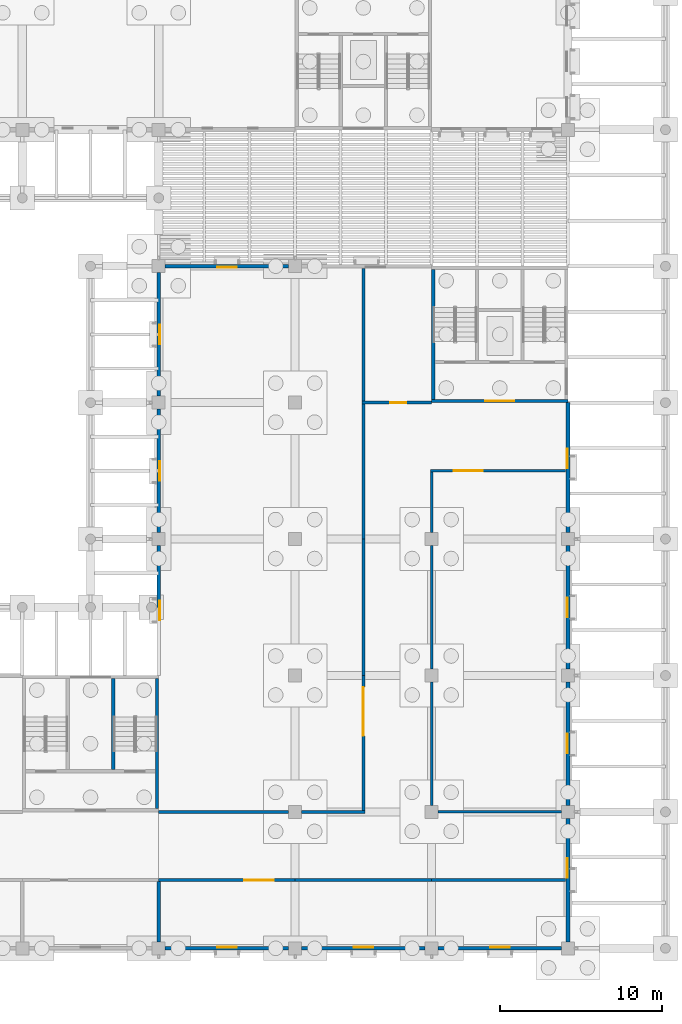
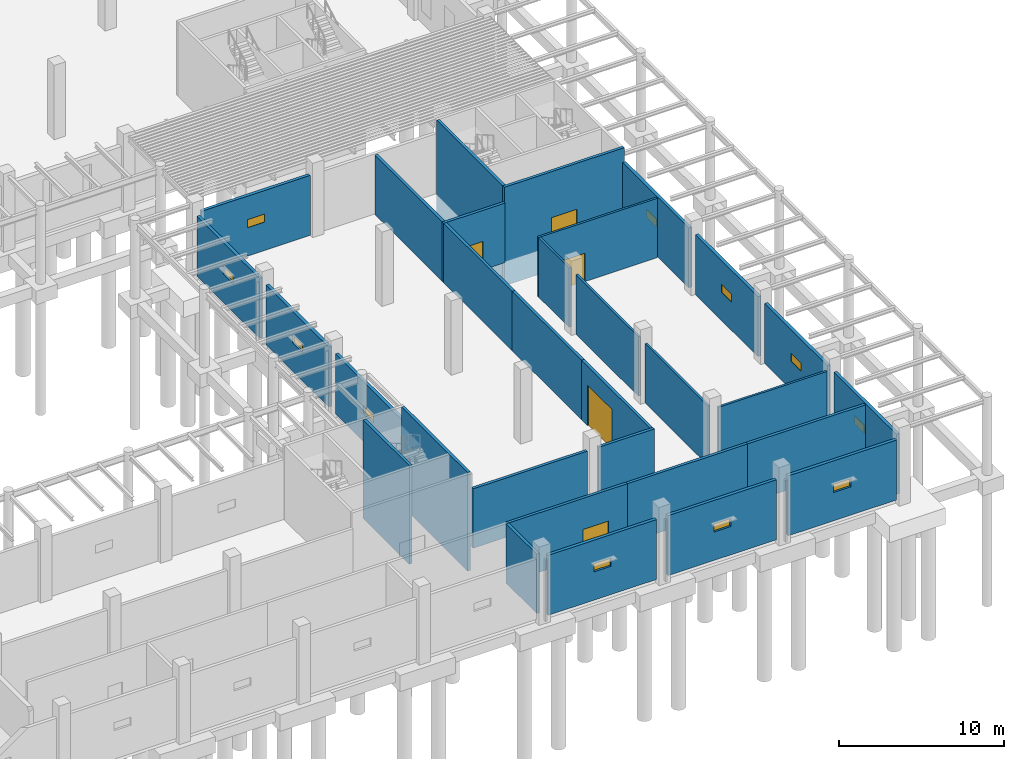
# One storey, part 40 of 82: 31 walls, 11 windows, 5 doors, 16 openings.
"""IFC4 building model written with IfcOpenShell, lengths in metres."""

import ifcopenshell
import ifcopenshell.guid

model = None  # the IFC model being written
_history = None  # IfcOwnerHistory: only IFC2X3 demands one
_inside = {}  # id of a spatial element -> (the spatial element, [elements in it])
_under = {}  # id of a project, library or spatial element -> (it, [spatial elements below it])
_declared = {}  # id of a project -> (the project, [libraries it declares])
_typed = {}  # id of a type object -> (the type object, [elements of that type])
_made_of = {}  # id of a material, layer set ... -> (it, [elements and type objects made of it])


def new_model(schema):
    """Start an empty IFC model of exactly this schema.

    Asked for "IFC4X3", IfcOpenShell would pick the latest addendum, in which some entities
    have other attributes; the version numbers below select the first issue.
    IFC2X3 requires an IfcOwnerHistory on every rooted entity: one is made here for all.
    """
    global model, _history
    if schema == "IFC4X3":
        model = ifcopenshell.file(schema_version=(4, 3, 0, 0))
    else:
        model = ifcopenshell.file(schema=schema)
    _inside.clear()
    _under.clear()
    _declared.clear()
    _typed.clear()
    _made_of.clear()
    _history = None
    if model.schema == "IFC2X3":
        org = make("IfcOrganization", Name="unknown")
        user = make(
            "IfcPersonAndOrganization",
            ThePerson=make("IfcPerson", FamilyName="unknown"),
            TheOrganization=org,
        )
        app = make(
            "IfcApplication",
            ApplicationDeveloper=org,
            Version="unknown",
            ApplicationFullName="unknown",
            ApplicationIdentifier="unknown",
        )
        _history = make(
            "IfcOwnerHistory",
            OwningUser=user,
            OwningApplication=app,
            ChangeAction="ADDED",
            CreationDate=0,
        )
    return model


def make(cls, **values):
    """One entity of the class cls with the attributes given. An attribute that is None is left unset."""
    return model.create_entity(
        cls, **{name: value for name, value in values.items() if value is not None}
    )


def rooted(cls, **values):
    """An entity with a GlobalId (a new one), such as an element, a storey or a relation."""
    return make(cls, GlobalId=ifcopenshell.guid.new(), OwnerHistory=_history, **values)


def si_unit(unit_type, name, prefix=None):
    """IfcSIUnit, for example si_unit("LENGTHUNIT", "METRE", prefix="MILLI")."""
    return make("IfcSIUnit", UnitType=unit_type, Prefix=prefix, Name=name)


def assignment(units):
    """IfcUnitAssignment: the units of a project."""
    return None if units is None else make("IfcUnitAssignment", Units=units)


def point(xyz):
    """IfcCartesianPoint."""
    return None if xyz is None else make("IfcCartesianPoint", Coordinates=xyz)


def direction(xyz):
    """IfcDirection."""
    return None if xyz is None else make("IfcDirection", DirectionRatios=xyz)


def frame(location, z_axis=None, x_axis=None):
    """IfcAxis2Placement3D, a coordinate frame: its origin and axes. An axis left out is left unset."""
    return make(
        "IfcAxis2Placement3D",
        Location=point(location),
        Axis=direction(z_axis),
        RefDirection=direction(x_axis),
    )


def frame_2d(location, x_axis=None):
    """IfcAxis2Placement2D, a coordinate frame in the plane: its origin and x axis."""
    return make(
        "IfcAxis2Placement2D", Location=point(location), RefDirection=direction(x_axis)
    )


def origin():
    """The frame at (0, 0, 0) with its axes left unset."""
    return frame((0.0, 0.0, 0.0))


def place(relative_to, where):
    """IfcLocalPlacement: puts the frame where relative to a parent placement (None: the world)."""
    return make(
        "IfcLocalPlacement", PlacementRelTo=relative_to, RelativePlacement=where
    )


def context(
    kind, dimensions, precision=None, world=None, true_north=None, identifier=None
):
    """IfcGeometricRepresentationContext, for example the 3D "Model" context."""
    return make(
        "IfcGeometricRepresentationContext",
        ContextIdentifier=identifier,
        ContextType=kind,
        CoordinateSpaceDimension=dimensions,
        Precision=precision,
        WorldCoordinateSystem=world,
        TrueNorth=true_north,
    )


def subcontext(parent, identifier, kind, view, scale=None):
    """IfcGeometricRepresentationSubContext, for example "Body" below "Model"."""
    return make(
        "IfcGeometricRepresentationSubContext",
        ContextIdentifier=identifier,
        ContextType=kind,
        ParentContext=parent,
        TargetScale=scale,
        TargetView=view,
    )


def project(units=None, contexts=None):
    """IfcProject with its units and contexts."""
    return rooted(
        "IfcProject",
        Name="project",
        RepresentationContexts=contexts,
        UnitsInContext=assignment(units),
    )


def spatial(cls, under=None, at=None, **own):
    """A site, building, storey or space (cls), placed at a placement, below another one or the project."""
    s = rooted(cls, ObjectPlacement=at, **own)
    if under is not None:
        _under.setdefault(under.id(), (under, []))[1].append(s)
    return s


def profile(cls, at=None, kind="AREA", **sizes):
    """A parametric profile (cls). Its sizes go by their IFC names, for example OverallWidth=200.0."""
    return make(cls, ProfileType=kind, Position=at, **sizes)


def rectangle(**sizes):
    """IfcRectangleProfileDef."""
    return profile("IfcRectangleProfileDef", **sizes)


def extrude(swept, where, along, depth):
    """IfcExtrudedAreaSolid: the profile swept, set in the frame where, extruded along a direction by depth."""
    return make(
        "IfcExtrudedAreaSolid",
        SweptArea=swept,
        Position=where,
        ExtrudedDirection=direction(along),
        Depth=depth,
    )


def shape(context_of_items, identifier, shape_type, items):
    """IfcShapeRepresentation: the items that make up one representation, for example the "Body"."""
    return make(
        "IfcShapeRepresentation",
        ContextOfItems=context_of_items,
        RepresentationIdentifier=identifier,
        RepresentationType=shape_type,
        Items=items,
    )


def material(Name=None, Category=None):
    """IfcMaterial."""
    return make("IfcMaterial", Name=Name, Category=Category)


def layer(
    of_material, thickness, ventilated=None, Name=None, Category=None, Priority=None
):
    """IfcMaterialLayer: one layer of a wall or slab, of a material (None: an air gap)."""
    return make(
        "IfcMaterialLayer",
        Material=of_material,
        LayerThickness=thickness,
        IsVentilated=ventilated,
        Name=Name,
        Category=Category,
        Priority=Priority,
    )


def layer_set(layers, Name=None):
    """IfcMaterialLayerSet."""
    return make("IfcMaterialLayerSet", MaterialLayers=layers, LayerSetName=Name)


def made_of(thing, what):
    """Note that an element or type object is made of a material, layer set ...; save() writes the relation."""
    if what is not None:
        _made_of.setdefault(what.id(), (what, []))[1].append(thing)
    return thing


def type_object(cls, material=None, **own):
    """A type object (cls), such as IfcWallType, which elements share."""
    return made_of(rooted(cls, **own), material)


def element(
    cls,
    number,
    at=None,
    inside=None,
    cuts=None,
    type_object=None,
    material=None,
    context=None,
    identifier="Body",
    shape_type=None,
    held_by="IfcProductDefinitionShape",
    body=None,
    shapes=None,
    **own,
):
    """One element of the class cls, such as IfcWall. Its Tag is "e" and its number.

    at: its placement. inside: the storey or other place that contains it. cuts: it is an
    opening in that element (IfcRelVoidsElement). A single representation is given by context,
    identifier, shape_type and body (its items); several are given by shapes. held_by: the class
    of the entity that holds the representations. save() writes the other relations.
    """
    e = rooted(cls, Tag="e%d" % number, ObjectPlacement=at, **own)
    if body is not None:
        shapes = [shape(context, identifier, shape_type, body)]
    if shapes is not None:
        e.Representation = make(held_by, Representations=shapes)
    if inside is not None:
        _inside.setdefault(inside.id(), (inside, []))[1].append(e)
    if cuts is not None:
        rooted(
            "IfcRelVoidsElement", RelatingBuildingElement=cuts, RelatedOpeningElement=e
        )
    if type_object is not None:
        _typed.setdefault(type_object.id(), (type_object, []))[1].append(e)
    return made_of(e, material)


def fill(opening, filler):
    """IfcRelFillsElement: the door or window that sits in an opening."""
    return rooted(
        "IfcRelFillsElement",
        RelatingOpeningElement=opening,
        RelatedBuildingElement=filler,
    )


def aggregate(whole, parts):
    """IfcRelAggregates: a whole, such as a stair, and the parts it consists of."""
    return rooted("IfcRelAggregates", RelatingObject=whole, RelatedObjects=parts)


def save(model, path):
    """Write the relations noted so far, then the file.

    IfcRelAggregates (storeys below a building ...), IfcRelContainedInSpatialStructure (elements
    in a storey), IfcRelDefinesByType, IfcRelAssociatesMaterial and IfcRelDeclares: one each for
    every whole, place, type object, material and project.
    """
    for whole, parts in _under.values():
        aggregate(whole, parts)
    for where, things in _inside.values():
        rooted(
            "IfcRelContainedInSpatialStructure",
            RelatedElements=things,
            RelatingStructure=where,
        )
    for kind, things in _typed.values():
        rooted("IfcRelDefinesByType", RelatedObjects=things, RelatingType=kind)
    for what, things in _made_of.values():
        rooted("IfcRelAssociatesMaterial", RelatedObjects=things, RelatingMaterial=what)
    for by, libraries in _declared.values():
        rooted("IfcRelDeclares", RelatingContext=by, RelatedDefinitions=libraries)
    model.write(path)


model = new_model("IFC4")

# Units and contexts
model_context = context("Model", 3, precision=1e-05, world=origin(), true_north=direction((0.0, 1.0)))
body_context = subcontext(model_context, "Body", "Model", "MODEL_VIEW")
ifc_project = project(units=[si_unit("LENGTHUNIT", "METRE"), si_unit("AREAUNIT", "SQUARE_METRE"), si_unit("VOLUMEUNIT", "CUBIC_METRE"), si_unit("PLANEANGLEUNIT", "RADIAN"), si_unit("MASSUNIT", "GRAM", prefix="KILO")], contexts=[model_context])

# Site, building, storey
site_placement = place(None, origin())
site = spatial("IfcSite", under=ifc_project, at=site_placement, CompositionType="ELEMENT")
building_placement = place(site_placement, origin())
building = spatial("IfcBuilding", under=site, at=building_placement, Name="Almond Square Museum", CompositionType="ELEMENT")
storey_placement = place(building_placement, origin())
storey = spatial("IfcBuildingStorey", under=building, at=storey_placement, Name="L00", CompositionType="ELEMENT", Elevation=0.0)

# Wall
ifc_material_1 = material(Name="Concrete blockwork 200", Category="masonry")
ifc_layer_1 = layer(ifc_material_1, 0.199951171875)
ifc_layer_set_1 = layer_set([ifc_layer_1], Name="Concrete blockwork 200")
wall_type_1 = type_object("IfcWallType", Name="Fire partition 200 blockwork", PredefinedType="PARTITIONING", material=ifc_layer_set_1)
wall_1_placement = place(storey_placement, frame((144.60009765625, 33.699951171875, 0.0), z_axis=(0.0, 0.0, 1.0), x_axis=(0.0, 1.0, 0.0)))
element("IfcWall", 1, at=wall_1_placement, inside=storey, type_object=wall_type_1, Name="L00 partition 63", PredefinedType="PARTITIONING", context=body_context, shape_type="SweptSolid", body=[
    extrude(rectangle(XDim=8.150146484375, YDim=0.199951171875, at=frame_2d((4.0751953125, 0.0))), origin(), (0.0, 0.0, 1.0), 4.39990234375),
])

# Wall, opening, door
wall_2_placement = place(storey_placement, frame((144.5, 33.60009765625, 0.0), z_axis=(0.0, 0.0, 1.0), x_axis=(1.0, 0.0, 0.0)))
wall_2 = element("IfcWall", 2, at=wall_2_placement, inside=storey, type_object=wall_type_1, Name="L00 partition 64", PredefinedType="PARTITIONING", context=body_context, shape_type="SweptSolid", body=[
    extrude(rectangle(XDim=4.300048828125, YDim=0.199951171875, at=frame_2d((2.14990234375, 0.0))), origin(), (0.0, 0.0, 1.0), 4.39990234375),
])
opening_1_placement = place(wall_2_placement, frame((1.75, 0.0, 0.0)))
opening_1 = element("IfcOpeningElement", 3, at=opening_1_placement, cuts=wall_2, Name="Opening D0118", PredefinedType="OPENING", context=body_context, shape_type="SweptSolid", body=[
    extrude(rectangle(XDim=1.0, YDim=2.10009765625, at=frame_2d((0.5, 1.050048828125))), frame((0.0, 0.10986328125, 0.0), z_axis=(0.0, -1.0, 0.0), x_axis=(1.0, 0.0, 0.0)), (0.0, 0.0, 1.0), 0.219970703125),
])
ifc_material_2 = material(Name="Steel", Category="steel")
door_type_1 = type_object("IfcDoorType", Name="Fire door 1000 x 2100 FD60 single", OperationType="NOTDEFINED", PredefinedType="DOOR", material=ifc_material_2)
door_1_placement = place(opening_1_placement, origin())
door_1 = element("IfcDoor", 4, at=door_1_placement, inside=storey, type_object=door_type_1, Name="L00 door Cleaners' Store 2 to Service Corridor 1", OperationType="SINGLE_SWING_RIGHT", OverallHeight=2.10009765625, OverallWidth=1.0, PredefinedType="DOOR", context=body_context, shape_type="SweptSolid", body=[
    extrude(rectangle(XDim=1.0, YDim=2.10009765625, at=frame_2d((0.5, 1.050048828125))), frame((0.0, 0.02490234375, 0.0), z_axis=(0.0, -1.0, 0.0), x_axis=(1.0, 0.0, 0.0)), (0.0, 0.0, 1.0), 0.050048828125),
])
fill(opening_1, door_1)

wall_3_placement = place(storey_placement, frame((144.60009765625, 8.5, 0.0), z_axis=(0.0, 0.0, 1.0), x_axis=(0.0, 1.0, 0.0)))
wall_3 = element("IfcWall", 5, at=wall_3_placement, inside=storey, type_object=wall_type_1, Name="L00 partition 66", PredefinedType="PARTITIONING", context=body_context, shape_type="SweptSolid", body=[
    extrude(rectangle(XDim=8.300048828125, YDim=0.199951171875, at=frame_2d((4.14990234375, 0.0))), origin(), (0.0, 0.0, 1.0), 4.39990234375),
])
opening_2_placement = place(wall_3_placement, frame((4.574951171875, 0.0, 0.0)))
opening_2 = element("IfcOpeningElement", 6, at=opening_2_placement, cuts=wall_3, Name="Opening D0121", PredefinedType="OPENING", context=body_context, shape_type="SweptSolid", body=[
    extrude(rectangle(XDim=3.0, YDim=3.0, at=frame_2d((1.5, 1.5))), frame((0.0, 0.10986328125, 0.0), z_axis=(0.0, -1.0, 0.0), x_axis=(1.0, 0.0, 0.0)), (0.0, 0.0, 1.0), 0.219970703125),
])
ifc_material_3 = material(Name="Steel", Category="steel")
door_type_2 = type_object("IfcDoorType", Name="Dock door 3000 x 3000 steel double", OperationType="NOTDEFINED", PredefinedType="DOOR", material=ifc_material_3)
door_2_placement = place(opening_2_placement, origin())
door_2 = element("IfcDoor", 7, at=door_2_placement, inside=storey, type_object=door_type_2, Name="L00 door Collection Store to Service Corridor 1", OperationType="DOUBLE_DOOR_SINGLE_SWING", OverallHeight=3.0, OverallWidth=3.0, PredefinedType="DOOR", context=body_context, shape_type="SweptSolid", body=[
    extrude(rectangle(XDim=3.0, YDim=3.0, at=frame_2d((1.5, 1.5))), frame((0.0, 0.02490234375, 0.0), z_axis=(0.0, -1.0, 0.0), x_axis=(1.0, 0.0, 0.0)), (0.0, 0.0, 1.0), 0.050048828125),
])
fill(opening_2, door_2)

# Walls
wall_4_placement = place(storey_placement, frame((144.60009765625, 16.800048828125, 0.0), z_axis=(0.0, 0.0, 1.0), x_axis=(0.0, 1.0, 0.0)))
element("IfcWall", 8, at=wall_4_placement, inside=storey, type_object=wall_type_1, Name="L00 partition 67", PredefinedType="PARTITIONING", context=body_context, shape_type="SweptSolid", body=[
    extrude(rectangle(XDim=8.39990234375, YDim=0.199951171875, at=frame_2d((4.199951171875, 0.0))), origin(), (0.0, 0.0, 1.0), 4.39990234375),
])
wall_5_placement = place(storey_placement, frame((144.60009765625, 25.199951171875, 0.0), z_axis=(0.0, 0.0, 1.0), x_axis=(0.0, 1.0, 0.0)))
element("IfcWall", 9, at=wall_5_placement, inside=storey, type_object=wall_type_1, Name="L00 partition 68", PredefinedType="PARTITIONING", context=body_context, shape_type="SweptSolid", body=[
    extrude(rectangle(XDim=8.300048828125, YDim=0.199951171875, at=frame_2d((4.14990234375, 0.0))), origin(), (0.0, 0.0, 1.0), 4.39990234375),
])
wall_6_placement = place(storey_placement, frame((132.0, 8.39990234375, 0.0), z_axis=(0.0, 0.0, 1.0), x_axis=(1.0, 0.0, 0.0)))
element("IfcWall", 10, at=wall_6_placement, inside=storey, type_object=wall_type_1, Name="L00 partition 69", PredefinedType="PARTITIONING", context=body_context, shape_type="SweptSolid", body=[
    extrude(rectangle(XDim=8.0, YDim=0.199951171875, at=frame_2d((4.0, 0.0))), origin(), (0.0, 0.0, 1.0), 4.39990234375),
])
wall_7_placement = place(storey_placement, frame((140.800048828125, 8.39990234375, 0.0), z_axis=(0.0, 0.0, 1.0), x_axis=(1.0, 0.0, 0.0)))
element("IfcWall", 11, at=wall_7_placement, inside=storey, type_object=wall_type_1, Name="L00 partition 70", PredefinedType="PARTITIONING", context=body_context, shape_type="SweptSolid", body=[
    extrude(rectangle(XDim=3.89990234375, YDim=0.199951171875, at=frame_2d((1.949951171875, 0.0))), origin(), (0.0, 0.0, 1.0), 4.39990234375),
])

# Wall, opening, door
wall_8_placement = place(storey_placement, frame((132.0, 4.199951171875, 0.0), z_axis=(0.0, 0.0, 1.0), x_axis=(1.0, 0.0, 0.0)))
wall_8 = element("IfcWall", 12, at=wall_8_placement, inside=storey, type_object=wall_type_1, Name="L00 partition 99", PredefinedType="PARTITIONING", context=body_context, shape_type="SweptSolid", body=[
    extrude(rectangle(XDim=8.39990234375, YDim=0.199951171875, at=frame_2d((4.199951171875, 0.0))), origin(), (0.0, 0.0, 1.0), 4.39990234375),
])
opening_3_placement = place(wall_8_placement, frame((5.27490234375, 0.0, 0.0)))
opening_3 = element("IfcOpeningElement", 13, at=opening_3_placement, cuts=wall_8, Name="Opening D0138", PredefinedType="OPENING", context=body_context, shape_type="SweptSolid", body=[
    extrude(rectangle(XDim=1.800048828125, YDim=2.10009765625, at=frame_2d((0.89990234375, 1.050048828125))), frame((0.0, 0.10986328125, 0.0), z_axis=(0.0, -1.0, 0.0), x_axis=(1.0, 0.0, 0.0)), (0.0, 0.0, 1.0), 0.219970703125),
])
ifc_material_4 = material(Name="Steel", Category="steel")
door_type_3 = type_object("IfcDoorType", Name="Fire door 1800 x 2100 FD60 double", OperationType="NOTDEFINED", PredefinedType="DOOR", material=ifc_material_4)
door_3_placement = place(opening_3_placement, origin())
door_3 = element("IfcDoor", 14, at=door_3_placement, inside=storey, type_object=door_type_3, Name="L00 door Air Handling Plant 2 to Service Corridor 1", OperationType="DOUBLE_DOOR_SINGLE_SWING", OverallHeight=2.10009765625, OverallWidth=1.800048828125, PredefinedType="DOOR", context=body_context, shape_type="SweptSolid", body=[
    extrude(rectangle(XDim=1.800048828125, YDim=2.10009765625, at=frame_2d((0.89990234375, 1.050048828125))), frame((0.0, 0.02490234375, 0.0), z_axis=(0.0, -1.0, 0.0), x_axis=(1.0, 0.0, 0.0)), (0.0, 0.0, 1.0), 0.050048828125),
])
fill(opening_3, door_3)

# Walls
wall_9_placement = place(storey_placement, frame((140.39990234375, 4.199951171875, 0.0), z_axis=(0.0, 0.0, 1.0), x_axis=(1.0, 0.0, 0.0)))
element("IfcWall", 15, at=wall_9_placement, inside=storey, type_object=wall_type_1, Name="L00 partition 100", PredefinedType="PARTITIONING", context=body_context, shape_type="SweptSolid", body=[
    extrude(rectangle(XDim=8.400146484375, YDim=0.199951171875, at=frame_2d((4.2001953125, 0.0))), origin(), (0.0, 0.0, 1.0), 4.39990234375),
])
wall_10_placement = place(storey_placement, frame((148.800048828125, 4.199951171875, 0.0), z_axis=(0.0, 0.0, 1.0), x_axis=(1.0, 0.0, 0.0)))
element("IfcWall", 16, at=wall_10_placement, inside=storey, type_object=wall_type_1, Name="L00 partition 101", PredefinedType="PARTITIONING", context=body_context, shape_type="SweptSolid", body=[
    extrude(rectangle(XDim=8.25, YDim=0.199951171875, at=frame_2d((4.125, 0.0))), origin(), (0.0, 0.0, 1.0), 4.39990234375),
])
wall_11_placement = place(storey_placement, frame((132.0, 0.39990234375, 0.0), z_axis=(0.0, 0.0, 1.0), x_axis=(0.0, 1.0, 0.0)))
element("IfcWall", 17, at=wall_11_placement, inside=storey, type_object=wall_type_1, Name="L00 partition 119", PredefinedType="PARTITIONING", context=body_context, shape_type="SweptSolid", body=[
    extrude(rectangle(XDim=3.7001953125, YDim=0.199951171875, at=frame_2d((1.85009765625, 0.0))), origin(), (0.0, 0.0, 1.0), 4.39990234375),
])

# Wall, opening, door
ifc_material_5 = material(Name="Plasterboard on steel stud", Category="steel")
ifc_layer_2 = layer(ifc_material_5, 0.14990234375)
ifc_layer_set_2 = layer_set([ifc_layer_2], Name="Plasterboard on steel stud")
wall_type_2 = type_object("IfcWallType", Name="Partition 150 plasterboard on steel stud", PredefinedType="PARTITIONING", material=ifc_layer_set_2)
wall_12_placement = place(storey_placement, frame((148.72509765625, 29.39990234375, 0.0), z_axis=(0.0, 0.0, 1.0), x_axis=(1.0, 0.0, 0.0)))
wall_12 = element("IfcWall", 18, at=wall_12_placement, inside=storey, type_object=wall_type_2, Name="L00 partition 73", PredefinedType="PARTITIONING", context=body_context, shape_type="SweptSolid", body=[
    extrude(rectangle(XDim=8.324951171875, YDim=0.14990234375, at=frame_2d((4.16259765625, 0.0))), origin(), (0.0, 0.0, 1.0), 4.39990234375),
])
opening_4_placement = place(wall_12_placement, frame((1.4375, 0.0, 0.0)))
opening_4 = element("IfcOpeningElement", 19, at=opening_4_placement, cuts=wall_12, Name="Opening D0123", PredefinedType="OPENING", context=body_context, shape_type="SweptSolid", body=[
    extrude(rectangle(XDim=1.800048828125, YDim=2.10009765625, at=frame_2d((0.89990234375, 1.050048828125))), frame((0.0, 0.0849609375, 0.0), z_axis=(0.0, -1.0, 0.0), x_axis=(1.0, 0.0, 0.0)), (0.0, 0.0, 1.0), 0.169921875),
])
ifc_material_6 = material(Name="Timber", Category="wood")
door_type_4 = type_object("IfcDoorType", Name="Door 1800 x 2100 timber double", OperationType="NOTDEFINED", PredefinedType="DOOR", material=ifc_material_6)
door_4_placement = place(opening_4_placement, origin())
door_4 = element("IfcDoor", 20, at=door_4_placement, inside=storey, type_object=door_type_4, Name="L00 door Workshop to Service Corridor 1", OperationType="DOUBLE_DOOR_SINGLE_SWING", OverallHeight=2.10009765625, OverallWidth=1.800048828125, PredefinedType="DOOR", context=body_context, shape_type="SweptSolid", body=[
    extrude(rectangle(XDim=1.800048828125, YDim=2.10009765625, at=frame_2d((0.89990234375, 1.050048828125))), frame((0.0, 0.02490234375, 0.0), z_axis=(0.0, -1.0, 0.0), x_axis=(1.0, 0.0, 0.0)), (0.0, 0.0, 1.0), 0.050048828125),
])
fill(opening_4, door_4)

# Walls
wall_13_placement = place(storey_placement, frame((149.199951171875, 8.39990234375, 0.0), z_axis=(0.0, 0.0, 1.0), x_axis=(1.0, 0.0, 0.0)))
element("IfcWall", 21, at=wall_13_placement, inside=storey, type_object=wall_type_2, Name="L00 partition 74", PredefinedType="PARTITIONING", context=body_context, shape_type="SweptSolid", body=[
    extrude(rectangle(XDim=7.60009765625, YDim=0.14990234375, at=frame_2d((3.800048828125, 0.0))), origin(), (0.0, 0.0, 1.0), 4.39990234375),
])
wall_14_placement = place(storey_placement, frame((148.800048828125, 8.800048828125, 0.0), z_axis=(0.0, 0.0, 1.0), x_axis=(0.0, 1.0, 0.0)))
element("IfcWall", 22, at=wall_14_placement, inside=storey, type_object=wall_type_2, Name="L00 partition 75", PredefinedType="PARTITIONING", context=body_context, shape_type="SweptSolid", body=[
    extrude(rectangle(XDim=7.599853515625, YDim=0.14990234375, at=frame_2d((3.7998046875, 0.0))), origin(), (0.0, 0.0, 1.0), 4.39990234375),
])
wall_15_placement = place(storey_placement, frame((148.800048828125, 17.199951171875, 0.0), z_axis=(0.0, 0.0, 1.0), x_axis=(0.0, 1.0, 0.0)))
element("IfcWall", 23, at=wall_15_placement, inside=storey, type_object=wall_type_2, Name="L00 partition 76", PredefinedType="PARTITIONING", context=body_context, shape_type="SweptSolid", body=[
    extrude(rectangle(XDim=7.60009765625, YDim=0.14990234375, at=frame_2d((3.800048828125, 0.0))), origin(), (0.0, 0.0, 1.0), 4.39990234375),
])
wall_16_placement = place(storey_placement, frame((148.800048828125, 25.60009765625, 0.0), z_axis=(0.0, 0.0, 1.0), x_axis=(0.0, 1.0, 0.0)))
element("IfcWall", 24, at=wall_16_placement, inside=storey, type_object=wall_type_2, Name="L00 partition 77", PredefinedType="PARTITIONING", context=body_context, shape_type="SweptSolid", body=[
    extrude(rectangle(XDim=3.724853515625, YDim=0.14990234375, at=frame_2d((1.8623046875, 0.0))), origin(), (0.0, 0.0, 1.0), 4.39990234375),
])
ifc_material_7 = material(Name="Concrete C40/50", Category="concrete")
ifc_layer_3 = layer(ifc_material_7, 0.199951171875)
ifc_layer_set_3 = layer_set([ifc_layer_3], Name="Concrete C40/50")
wall_type_3 = type_object("IfcWallType", Name="RC shear wall 200 C40/50", PredefinedType="SHEAR", material=ifc_layer_set_3)
wall_17_placement = place(storey_placement, frame((131.89990234375, 8.60009765625, -1.800048828125), z_axis=(0.0, 0.0, 1.0), x_axis=(0.0, 1.0, 0.0)))
element("IfcWall", 25, at=wall_17_placement, inside=storey, type_object=wall_type_3, Name="Core S3 east wall L00", PredefinedType="SHEAR", context=body_context, shape_type="SweptSolid", body=[
    extrude(rectangle(XDim=8.0, YDim=0.199951171875, at=frame_2d((4.0, 0.0))), origin(), (0.0, 0.0, 1.0), 7.300048828125),
])
wall_18_placement = place(storey_placement, frame((129.199951171875, 11.0, -1.800048828125), z_axis=(0.0, 0.0, 1.0), x_axis=(0.0, 1.0, 0.0)))
element("IfcWall", 26, at=wall_18_placement, inside=storey, type_object=wall_type_3, Name="Core S3 partition wall L00", PredefinedType="SHEAR", context=body_context, shape_type="SweptSolid", body=[
    extrude(rectangle(XDim=5.60009765625, YDim=0.199951171875, at=frame_2d((2.800048828125, 0.0))), origin(), (0.0, 0.0, 1.0), 7.300048828125),
])

# Wall, opening, door
wall_19_placement = place(storey_placement, frame((148.800048828125, 33.699951171875, -1.800048828125), z_axis=(0.0, 0.0, 1.0), x_axis=(1.0, 0.0, 0.0)))
wall_19 = element("IfcWall", 27, at=wall_19_placement, inside=storey, type_object=wall_type_3, Name="Core X1 south wall L00", PredefinedType="SHEAR", context=body_context, shape_type="SweptSolid", body=[
    extrude(rectangle(XDim=8.39990234375, YDim=0.199951171875, at=frame_2d((4.199951171875, 0.0))), origin(), (0.0, 0.0, 1.0), 7.300048828125),
])
opening_5_placement = place(wall_19_placement, frame((3.300048828125, 0.0, 1.800048828125)))
opening_5 = element("IfcOpeningElement", 28, at=opening_5_placement, cuts=wall_19, Name="Opening D0213", PredefinedType="OPENING", context=body_context, shape_type="SweptSolid", body=[
    extrude(rectangle(XDim=1.800048828125, YDim=2.10009765625, at=frame_2d((0.89990234375, 1.050048828125))), frame((0.0, 0.10986328125, 0.0), z_axis=(0.0, -1.0, 0.0), x_axis=(1.0, 0.0, 0.0)), (0.0, 0.0, 1.0), 0.219970703125),
])
door_5_placement = place(opening_5_placement, origin())
door_5 = element("IfcDoor", 29, at=door_5_placement, inside=storey, type_object=door_type_3, Name="L00 stair core X1 lobby door", OperationType="DOUBLE_DOOR_SINGLE_SWING", OverallHeight=2.10009765625, OverallWidth=1.800048828125, PredefinedType="DOOR", context=body_context, shape_type="SweptSolid", body=[
    extrude(rectangle(XDim=1.800048828125, YDim=2.10009765625, at=frame_2d((0.89990234375, 1.050048828125))), frame((0.0, 0.02490234375, 0.0), z_axis=(0.0, -1.0, 0.0), x_axis=(1.0, 0.0, 0.0)), (0.0, 0.0, 1.0), 0.050048828125),
])
fill(opening_5, door_5)

# Wall
wall_20_placement = place(storey_placement, frame((148.89990234375, 33.800048828125, -1.800048828125), z_axis=(0.0, 0.0, 1.0), x_axis=(0.0, 1.0, 0.0)))
element("IfcWall", 30, at=wall_20_placement, inside=storey, type_object=wall_type_3, Name="Core X1 west wall L00", PredefinedType="SHEAR", context=body_context, shape_type="SweptSolid", body=[
    extrude(rectangle(XDim=8.0, YDim=0.199951171875, at=frame_2d((4.0, 0.0))), origin(), (0.0, 0.0, 1.0), 7.300048828125),
])

# Wall, opening, window
ifc_material_8 = material(Name="Concrete C30/37", Category="concrete")
ifc_layer_4 = layer(ifc_material_8, 0.219970703125)
ifc_layer_set_4 = layer_set([ifc_layer_4], Name="Concrete C30/37")
wall_type_4 = type_object("IfcWallType", Name="Stucco panel wall 220 with insulation", PredefinedType="SOLIDWALL", material=ifc_layer_set_4)
wall_21_placement = place(storey_placement, frame((132.39990234375, 0.0, 0.0), z_axis=(0.0, 0.0, 1.0), x_axis=(1.0, 0.0, 0.0)))
wall_21 = element("IfcWall", 31, at=wall_21_placement, inside=storey, type_object=wall_type_4, Name="External wall W4 V5E L00 S01", PredefinedType="SOLIDWALL", context=body_context, shape_type="SweptSolid", body=[
    extrude(rectangle(XDim=7.60009765625, YDim=0.219970703125, at=frame_2d((3.800048828125, 0.0))), origin(), (0.0, 0.0, 1.0), 4.43994140625),
])
opening_6_placement = place(wall_21_placement, frame((3.199951171875, 0.0, 2.10009765625)))
opening_6 = element("IfcOpeningElement", 32, at=opening_6_placement, cuts=wall_21, Name="Opening W0012", PredefinedType="OPENING", context=body_context, shape_type="SweptSolid", body=[
    extrude(rectangle(XDim=1.199951171875, YDim=0.60009765625, at=frame_2d((0.60009765625, 0.300048828125))), frame((0.0, 0.119873046875, 0.0), z_axis=(0.0, -1.0, 0.0), x_axis=(1.0, 0.0, 0.0)), (0.0, 0.0, 1.0), 0.239990234375),
])
ifc_material_9 = material(Name="Anodised aluminium louvre", Category="aluminium")
window_type = type_object("IfcWindowType", Name="Louvred vent", PartitioningType="SINGLE_PANEL", PredefinedType="WINDOW", material=ifc_material_9)
window_1_placement = place(opening_6_placement, origin())
window_1 = element("IfcWindow", 33, at=window_1_placement, inside=storey, type_object=window_type, Name="Louvred vent W0012", OverallHeight=0.60009765625, OverallWidth=1.199951171875, PartitioningType="SINGLE_PANEL", PredefinedType="WINDOW", context=body_context, shape_type="SweptSolid", body=[
    extrude(rectangle(XDim=1.199951171875, YDim=0.60009765625, at=frame_2d((0.60009765625, 0.300048828125))), frame((0.0, 0.090087890625, 0.0), z_axis=(0.0, -1.0, 0.0), x_axis=(1.0, 0.0, 0.0)), (0.0, 0.0, 1.0), 0.06005859375),
])
fill(opening_6, window_1)

wall_22_placement = place(storey_placement, frame((140.800048828125, 0.0, 0.0), z_axis=(0.0, 0.0, 1.0), x_axis=(1.0, 0.0, 0.0)))
wall_22 = element("IfcWall", 34, at=wall_22_placement, inside=storey, type_object=wall_type_4, Name="External wall W4 V5E L00 S02", PredefinedType="SOLIDWALL", context=body_context, shape_type="SweptSolid", body=[
    extrude(rectangle(XDim=7.599853515625, YDim=0.219970703125, at=frame_2d((3.7998046875, 0.0))), origin(), (0.0, 0.0, 1.0), 4.43994140625),
])
opening_7_placement = place(wall_22_placement, frame((3.199951171875, 0.0, 2.10009765625)))
opening_7 = element("IfcOpeningElement", 35, at=opening_7_placement, cuts=wall_22, Name="Opening W0013", PredefinedType="OPENING", context=body_context, shape_type="SweptSolid", body=[
    extrude(rectangle(XDim=1.199951171875, YDim=0.60009765625, at=frame_2d((0.60009765625, 0.300048828125))), frame((0.0, 0.119873046875, 0.0), z_axis=(0.0, -1.0, 0.0), x_axis=(1.0, 0.0, 0.0)), (0.0, 0.0, 1.0), 0.239990234375),
])
window_2_placement = place(opening_7_placement, origin())
window_2 = element("IfcWindow", 36, at=window_2_placement, inside=storey, type_object=window_type, Name="Louvred vent W0013", OverallHeight=0.60009765625, OverallWidth=1.199951171875, PartitioningType="SINGLE_PANEL", PredefinedType="WINDOW", context=body_context, shape_type="SweptSolid", body=[
    extrude(rectangle(XDim=1.199951171875, YDim=0.60009765625, at=frame_2d((0.60009765625, 0.300048828125))), frame((0.0, 0.090087890625, 0.0), z_axis=(0.0, -1.0, 0.0), x_axis=(1.0, 0.0, 0.0)), (0.0, 0.0, 1.0), 0.06005859375),
])
fill(opening_7, window_2)

wall_23_placement = place(storey_placement, frame((149.199951171875, 0.0, 0.0), z_axis=(0.0, 0.0, 1.0), x_axis=(1.0, 0.0, 0.0)))
wall_23 = element("IfcWall", 37, at=wall_23_placement, inside=storey, type_object=wall_type_4, Name="External wall W4 V5E L00 S03", PredefinedType="SOLIDWALL", context=body_context, shape_type="SweptSolid", body=[
    extrude(rectangle(XDim=7.60009765625, YDim=0.219970703125, at=frame_2d((3.800048828125, 0.0))), origin(), (0.0, 0.0, 1.0), 4.43994140625),
])
opening_8_placement = place(wall_23_placement, frame((3.199951171875, 0.0, 2.10009765625)))
opening_8 = element("IfcOpeningElement", 38, at=opening_8_placement, cuts=wall_23, Name="Opening W0014", PredefinedType="OPENING", context=body_context, shape_type="SweptSolid", body=[
    extrude(rectangle(XDim=1.199951171875, YDim=0.60009765625, at=frame_2d((0.60009765625, 0.300048828125))), frame((0.0, 0.119873046875, 0.0), z_axis=(0.0, -1.0, 0.0), x_axis=(1.0, 0.0, 0.0)), (0.0, 0.0, 1.0), 0.239990234375),
])
window_3_placement = place(opening_8_placement, origin())
window_3 = element("IfcWindow", 39, at=window_3_placement, inside=storey, type_object=window_type, Name="Louvred vent W0014", OverallHeight=0.60009765625, OverallWidth=1.199951171875, PartitioningType="SINGLE_PANEL", PredefinedType="WINDOW", context=body_context, shape_type="SweptSolid", body=[
    extrude(rectangle(XDim=1.199951171875, YDim=0.60009765625, at=frame_2d((0.60009765625, 0.300048828125))), frame((0.0, 0.090087890625, 0.0), z_axis=(0.0, -1.0, 0.0), x_axis=(1.0, 0.0, 0.0)), (0.0, 0.0, 1.0), 0.06005859375),
])
fill(opening_8, window_3)

wall_24_placement = place(storey_placement, frame((157.199951171875, 0.39990234375, 0.0), z_axis=(0.0, 0.0, 1.0), x_axis=(0.0, 1.0, 0.0)))
wall_24 = element("IfcWall", 40, at=wall_24_placement, inside=storey, type_object=wall_type_4, Name="External wall W4 V5E L00 E01", PredefinedType="SOLIDWALL", context=body_context, shape_type="SweptSolid", body=[
    extrude(rectangle(XDim=7.60009765625, YDim=0.219970703125, at=frame_2d((3.800048828125, 0.0))), origin(), (0.0, 0.0, 1.0), 4.43994140625),
])
opening_9_placement = place(wall_24_placement, frame((3.949951171875, 0.0, 2.10009765625)))
opening_9 = element("IfcOpeningElement", 41, at=opening_9_placement, cuts=wall_24, Name="Opening W0015", PredefinedType="OPENING", context=body_context, shape_type="SweptSolid", body=[
    extrude(rectangle(XDim=1.199951171875, YDim=0.60009765625, at=frame_2d((0.60009765625, 0.300048828125))), frame((0.0, 0.119873046875, 0.0), z_axis=(0.0, -1.0, 0.0), x_axis=(1.0, 0.0, 0.0)), (0.0, 0.0, 1.0), 0.239990234375),
])
window_4_placement = place(opening_9_placement, origin())
window_4 = element("IfcWindow", 42, at=window_4_placement, inside=storey, type_object=window_type, Name="Louvred vent W0015", OverallHeight=0.60009765625, OverallWidth=1.199951171875, PartitioningType="SINGLE_PANEL", PredefinedType="WINDOW", context=body_context, shape_type="SweptSolid", body=[
    extrude(rectangle(XDim=1.199951171875, YDim=0.60009765625, at=frame_2d((0.60009765625, 0.300048828125))), frame((0.0, 0.090087890625, 0.0), z_axis=(0.0, -1.0, 0.0), x_axis=(1.0, 0.0, 0.0)), (0.0, 0.0, 1.0), 0.06005859375),
])
fill(opening_9, window_4)

wall_25_placement = place(storey_placement, frame((157.199951171875, 8.800048828125, 0.0), z_axis=(0.0, 0.0, 1.0), x_axis=(0.0, 1.0, 0.0)))
wall_25 = element("IfcWall", 43, at=wall_25_placement, inside=storey, type_object=wall_type_4, Name="External wall W4 V5E L00 E02", PredefinedType="SOLIDWALL", context=body_context, shape_type="SweptSolid", body=[
    extrude(rectangle(XDim=7.599853515625, YDim=0.219970703125, at=frame_2d((3.7998046875, 0.0))), origin(), (0.0, 0.0, 1.0), 4.43994140625),
])
opening_10_placement = place(wall_25_placement, frame((3.199951171875, 0.0, 2.10009765625)))
opening_10 = element("IfcOpeningElement", 44, at=opening_10_placement, cuts=wall_25, Name="Opening W0016", PredefinedType="OPENING", context=body_context, shape_type="SweptSolid", body=[
    extrude(rectangle(XDim=1.199951171875, YDim=0.60009765625, at=frame_2d((0.60009765625, 0.300048828125))), frame((0.0, 0.119873046875, 0.0), z_axis=(0.0, -1.0, 0.0), x_axis=(1.0, 0.0, 0.0)), (0.0, 0.0, 1.0), 0.239990234375),
])
window_5_placement = place(opening_10_placement, origin())
window_5 = element("IfcWindow", 45, at=window_5_placement, inside=storey, type_object=window_type, Name="Louvred vent W0016", OverallHeight=0.60009765625, OverallWidth=1.199951171875, PartitioningType="SINGLE_PANEL", PredefinedType="WINDOW", context=body_context, shape_type="SweptSolid", body=[
    extrude(rectangle(XDim=1.199951171875, YDim=0.60009765625, at=frame_2d((0.60009765625, 0.300048828125))), frame((0.0, 0.090087890625, 0.0), z_axis=(0.0, -1.0, 0.0), x_axis=(1.0, 0.0, 0.0)), (0.0, 0.0, 1.0), 0.06005859375),
])
fill(opening_10, window_5)

wall_26_placement = place(storey_placement, frame((157.199951171875, 17.199951171875, 0.0), z_axis=(0.0, 0.0, 1.0), x_axis=(0.0, 1.0, 0.0)))
wall_26 = element("IfcWall", 46, at=wall_26_placement, inside=storey, type_object=wall_type_4, Name="External wall W4 V5E L00 E03", PredefinedType="SOLIDWALL", context=body_context, shape_type="SweptSolid", body=[
    extrude(rectangle(XDim=7.60009765625, YDim=0.219970703125, at=frame_2d((3.800048828125, 0.0))), origin(), (0.0, 0.0, 1.0), 4.43994140625),
])
opening_11_placement = place(wall_26_placement, frame((3.199951171875, 0.0, 2.10009765625)))
opening_11 = element("IfcOpeningElement", 47, at=opening_11_placement, cuts=wall_26, Name="Opening W0017", PredefinedType="OPENING", context=body_context, shape_type="SweptSolid", body=[
    extrude(rectangle(XDim=1.199951171875, YDim=0.60009765625, at=frame_2d((0.60009765625, 0.300048828125))), frame((0.0, 0.119873046875, 0.0), z_axis=(0.0, -1.0, 0.0), x_axis=(1.0, 0.0, 0.0)), (0.0, 0.0, 1.0), 0.239990234375),
])
window_6_placement = place(opening_11_placement, origin())
window_6 = element("IfcWindow", 48, at=window_6_placement, inside=storey, type_object=window_type, Name="Louvred vent W0017", OverallHeight=0.60009765625, OverallWidth=1.199951171875, PartitioningType="SINGLE_PANEL", PredefinedType="WINDOW", context=body_context, shape_type="SweptSolid", body=[
    extrude(rectangle(XDim=1.199951171875, YDim=0.60009765625, at=frame_2d((0.60009765625, 0.300048828125))), frame((0.0, 0.090087890625, 0.0), z_axis=(0.0, -1.0, 0.0), x_axis=(1.0, 0.0, 0.0)), (0.0, 0.0, 1.0), 0.06005859375),
])
fill(opening_11, window_6)

wall_27_placement = place(storey_placement, frame((157.199951171875, 25.60009765625, 0.0), z_axis=(0.0, 0.0, 1.0), x_axis=(0.0, 1.0, 0.0)))
wall_27 = element("IfcWall", 49, at=wall_27_placement, inside=storey, type_object=wall_type_4, Name="External wall W4 V5E L00 E04", PredefinedType="SOLIDWALL", context=body_context, shape_type="SweptSolid", body=[
    extrude(rectangle(XDim=8.0, YDim=0.219970703125, at=frame_2d((4.0, 0.0))), origin(), (0.0, 0.0, 1.0), 4.43994140625),
])
opening_12_placement = place(wall_27_placement, frame((3.949951171875, 0.0, 2.10009765625)))
opening_12 = element("IfcOpeningElement", 50, at=opening_12_placement, cuts=wall_27, Name="Opening W0018", PredefinedType="OPENING", context=body_context, shape_type="SweptSolid", body=[
    extrude(rectangle(XDim=1.199951171875, YDim=0.60009765625, at=frame_2d((0.60009765625, 0.300048828125))), frame((0.0, 0.119873046875, 0.0), z_axis=(0.0, -1.0, 0.0), x_axis=(1.0, 0.0, 0.0)), (0.0, 0.0, 1.0), 0.239990234375),
])
window_7_placement = place(opening_12_placement, origin())
window_7 = element("IfcWindow", 51, at=window_7_placement, inside=storey, type_object=window_type, Name="Louvred vent W0018", OverallHeight=0.60009765625, OverallWidth=1.199951171875, PartitioningType="SINGLE_PANEL", PredefinedType="WINDOW", context=body_context, shape_type="SweptSolid", body=[
    extrude(rectangle(XDim=1.199951171875, YDim=0.60009765625, at=frame_2d((0.60009765625, 0.300048828125))), frame((0.0, 0.090087890625, 0.0), z_axis=(0.0, -1.0, 0.0), x_axis=(1.0, 0.0, 0.0)), (0.0, 0.0, 1.0), 0.06005859375),
])
fill(opening_12, window_7)

wall_28_placement = place(storey_placement, frame((132.39990234375, 42.0, 0.0), z_axis=(0.0, 0.0, 1.0), x_axis=(1.0, 0.0, 0.0)))
wall_28 = element("IfcWall", 52, at=wall_28_placement, inside=storey, type_object=wall_type_4, Name="External wall W4 V5E L00 N02", PredefinedType="SOLIDWALL", context=body_context, shape_type="SweptSolid", body=[
    extrude(rectangle(XDim=7.60009765625, YDim=0.219970703125, at=frame_2d((3.800048828125, 0.0))), origin(), (0.0, 0.0, 1.0), 4.43994140625),
])
opening_13_placement = place(wall_28_placement, frame((3.199951171875, 0.0, 2.10009765625)))
opening_13 = element("IfcOpeningElement", 53, at=opening_13_placement, cuts=wall_28, Name="Opening W0020", PredefinedType="OPENING", context=body_context, shape_type="SweptSolid", body=[
    extrude(rectangle(XDim=1.199951171875, YDim=0.60009765625, at=frame_2d((0.60009765625, 0.300048828125))), frame((0.0, 0.119873046875, 0.0), z_axis=(0.0, -1.0, 0.0), x_axis=(1.0, 0.0, 0.0)), (0.0, 0.0, 1.0), 0.239990234375),
])
window_8_placement = place(opening_13_placement, origin())
window_8 = element("IfcWindow", 54, at=window_8_placement, inside=storey, type_object=window_type, Name="Louvred vent W0020", OverallHeight=0.60009765625, OverallWidth=1.199951171875, PartitioningType="SINGLE_PANEL", PredefinedType="WINDOW", context=body_context, shape_type="SweptSolid", body=[
    extrude(rectangle(XDim=1.199951171875, YDim=0.60009765625, at=frame_2d((0.60009765625, 0.300048828125))), frame((0.0, -0.030029296875, 0.0), z_axis=(0.0, -1.0, 0.0), x_axis=(1.0, 0.0, 0.0)), (0.0, 0.0, 1.0), 0.06005859375),
])
fill(opening_13, window_8)

wall_29_placement = place(storey_placement, frame((132.0, 34.0, 0.0), z_axis=(0.0, 0.0, 1.0), x_axis=(0.0, 1.0, 0.0)))
wall_29 = element("IfcWall", 55, at=wall_29_placement, inside=storey, type_object=wall_type_4, Name="External wall W4 V5E L00 W01", PredefinedType="SOLIDWALL", context=body_context, shape_type="SweptSolid", body=[
    extrude(rectangle(XDim=7.60009765625, YDim=0.219970703125, at=frame_2d((3.800048828125, 0.0))), origin(), (0.0, 0.0, 1.0), 4.43994140625),
])
opening_14_placement = place(wall_29_placement, frame((3.199951171875, 0.0, 2.10009765625)))
opening_14 = element("IfcOpeningElement", 56, at=opening_14_placement, cuts=wall_29, Name="Opening W0021", PredefinedType="OPENING", context=body_context, shape_type="SweptSolid", body=[
    extrude(rectangle(XDim=1.199951171875, YDim=0.60009765625, at=frame_2d((0.60009765625, 0.300048828125))), frame((0.0, 0.119873046875, 0.0), z_axis=(0.0, -1.0, 0.0), x_axis=(1.0, 0.0, 0.0)), (0.0, 0.0, 1.0), 0.239990234375),
])
window_9_placement = place(opening_14_placement, origin())
window_9 = element("IfcWindow", 57, at=window_9_placement, inside=storey, type_object=window_type, Name="Louvred vent W0021", OverallHeight=0.60009765625, OverallWidth=1.199951171875, PartitioningType="SINGLE_PANEL", PredefinedType="WINDOW", context=body_context, shape_type="SweptSolid", body=[
    extrude(rectangle(XDim=1.199951171875, YDim=0.60009765625, at=frame_2d((0.60009765625, 0.300048828125))), frame((0.0, -0.030029296875, 0.0), z_axis=(0.0, -1.0, 0.0), x_axis=(1.0, 0.0, 0.0)), (0.0, 0.0, 1.0), 0.06005859375),
])
fill(opening_14, window_9)

wall_30_placement = place(storey_placement, frame((132.0, 25.60009765625, 0.0), z_axis=(0.0, 0.0, 1.0), x_axis=(0.0, 1.0, 0.0)))
wall_30 = element("IfcWall", 58, at=wall_30_placement, inside=storey, type_object=wall_type_4, Name="External wall W4 V5E L00 W02", PredefinedType="SOLIDWALL", context=body_context, shape_type="SweptSolid", body=[
    extrude(rectangle(XDim=7.599853515625, YDim=0.219970703125, at=frame_2d((3.7998046875, 0.0))), origin(), (0.0, 0.0, 1.0), 4.43994140625),
])
opening_15_placement = place(wall_30_placement, frame((3.199951171875, 0.0, 2.10009765625)))
opening_15 = element("IfcOpeningElement", 59, at=opening_15_placement, cuts=wall_30, Name="Opening W0022", PredefinedType="OPENING", context=body_context, shape_type="SweptSolid", body=[
    extrude(rectangle(XDim=1.199951171875, YDim=0.60009765625, at=frame_2d((0.60009765625, 0.300048828125))), frame((0.0, 0.119873046875, 0.0), z_axis=(0.0, -1.0, 0.0), x_axis=(1.0, 0.0, 0.0)), (0.0, 0.0, 1.0), 0.239990234375),
])
window_10_placement = place(opening_15_placement, origin())
window_10 = element("IfcWindow", 60, at=window_10_placement, inside=storey, type_object=window_type, Name="Louvred vent W0022", OverallHeight=0.60009765625, OverallWidth=1.199951171875, PartitioningType="SINGLE_PANEL", PredefinedType="WINDOW", context=body_context, shape_type="SweptSolid", body=[
    extrude(rectangle(XDim=1.199951171875, YDim=0.60009765625, at=frame_2d((0.60009765625, 0.300048828125))), frame((0.0, -0.030029296875, 0.0), z_axis=(0.0, -1.0, 0.0), x_axis=(1.0, 0.0, 0.0)), (0.0, 0.0, 1.0), 0.06005859375),
])
fill(opening_15, window_10)

wall_31_placement = place(storey_placement, frame((132.0, 16.800048828125, 0.0), z_axis=(0.0, 0.0, 1.0), x_axis=(0.0, 1.0, 0.0)))
wall_31 = element("IfcWall", 61, at=wall_31_placement, inside=storey, type_object=wall_type_4, Name="External wall W4 V5E L00 W03", PredefinedType="SOLIDWALL", context=body_context, shape_type="SweptSolid", body=[
    extrude(rectangle(XDim=8.0, YDim=0.219970703125, at=frame_2d((4.0, 0.0))), origin(), (0.0, 0.0, 1.0), 4.43994140625),
])
opening_16_placement = place(wall_31_placement, frame((3.39990234375, 0.0, 2.10009765625)))
opening_16 = element("IfcOpeningElement", 62, at=opening_16_placement, cuts=wall_31, Name="Opening W0023", PredefinedType="OPENING", context=body_context, shape_type="SweptSolid", body=[
    extrude(rectangle(XDim=1.199951171875, YDim=0.60009765625, at=frame_2d((0.60009765625, 0.300048828125))), frame((0.0, 0.119873046875, 0.0), z_axis=(0.0, -1.0, 0.0), x_axis=(1.0, 0.0, 0.0)), (0.0, 0.0, 1.0), 0.239990234375),
])
window_11_placement = place(opening_16_placement, origin())
window_11 = element("IfcWindow", 63, at=window_11_placement, inside=storey, type_object=window_type, Name="Louvred vent W0023", OverallHeight=0.60009765625, OverallWidth=1.199951171875, PartitioningType="SINGLE_PANEL", PredefinedType="WINDOW", context=body_context, shape_type="SweptSolid", body=[
    extrude(rectangle(XDim=1.199951171875, YDim=0.60009765625, at=frame_2d((0.60009765625, 0.300048828125))), frame((0.0, -0.030029296875, 0.0), z_axis=(0.0, -1.0, 0.0), x_axis=(1.0, 0.0, 0.0)), (0.0, 0.0, 1.0), 0.06005859375),
])
fill(opening_16, window_11)

save(model, "model.ifc")
